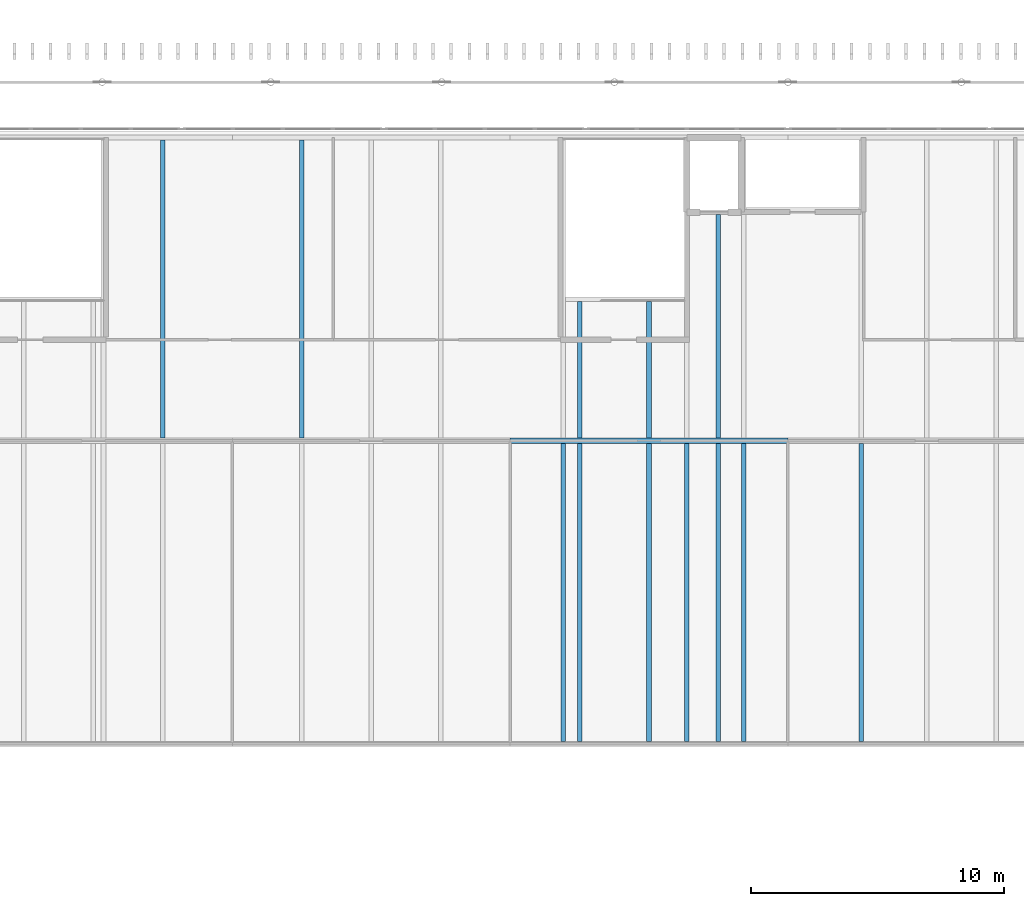
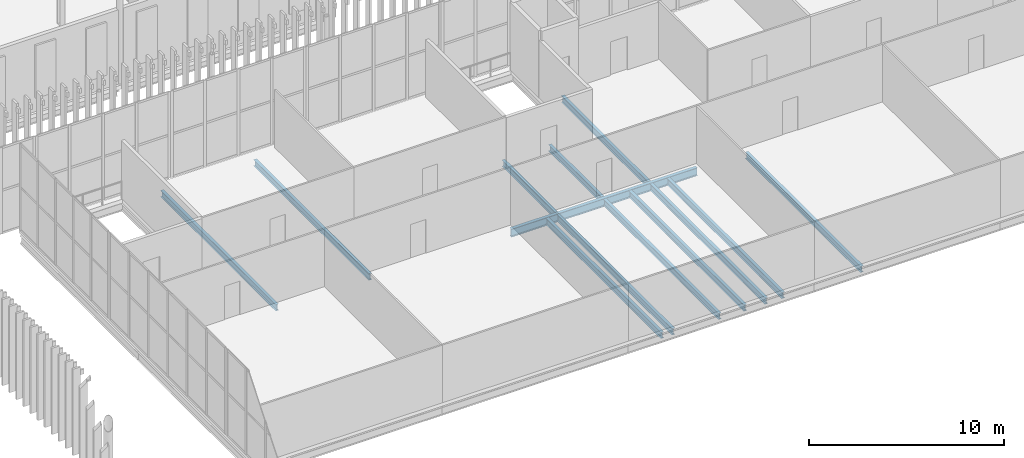
# One storey, part 66 of 170: 13 beams.
"""IFC4 building model written with IfcOpenShell, lengths in metres."""

from ifc_helpers import new_model, si_unit, direction, frame, origin, origin_2d, place, context, subcontext, project, spatial, i_section, extrude, material, material_profile, profile_set, type_object, element, save


model = new_model("IFC4")

# Units and contexts
model_context = context("Model", 3, precision=1e-05, world=origin(), true_north=direction((0.0, 1.0)))
body_context = subcontext(model_context, "Body", "Model", "MODEL_VIEW")
ifc_project = project(units=[si_unit("LENGTHUNIT", "METRE"), si_unit("AREAUNIT", "SQUARE_METRE"), si_unit("VOLUMEUNIT", "CUBIC_METRE"), si_unit("PLANEANGLEUNIT", "RADIAN"), si_unit("MASSUNIT", "GRAM", prefix="KILO")], contexts=[model_context])

# Site, building, storey
site_placement = place(None, origin())
site = spatial("IfcSite", under=ifc_project, at=site_placement, CompositionType="ELEMENT")
building_placement = place(site_placement, origin())
building = spatial("IfcBuilding", under=site, at=building_placement, Name="Ravi Spectrum Wholesale Market", CompositionType="ELEMENT")
storey_placement = place(building_placement, frame((0.0, 0.0, 5.39990234375)))
storey = spatial("IfcBuildingStorey", under=building, at=storey_placement, Name="L01", CompositionType="ELEMENT", Elevation=5.39990234375)

# Beams
ifc_material_1 = material(Name="Steel S355", Category="steel")
ifc_material_profile_1 = material_profile(ifc_material_1, i_section(OverallWidth=0.179931640625, OverallDepth=0.39990234375, WebThickness=0.008544921875, FlangeThickness=0.013427734375, at=origin_2d()))
ifc_profile_set_1 = profile_set([ifc_material_profile_1], Name="Steel S355")
beam_type_1 = type_object("IfcBeamType", Name="IPE 400 beam", PredefinedType="BEAM", material=ifc_profile_set_1)
for number, where, z_axis, x_axis, name in (
    (1, (45.25, 183.10009765625, -0.449951171875), (0.0, 1.0, 0.0), (-1.0, 0.0, 0.0), "H1-BM-L01-030"),
    (2, (50.75, 183.10009765625, -0.449951171875), (0.0, 1.0, 0.0), (-1.0, 0.0, 0.0), "H1-BM-L01-032"),
    (3, (61.10009765625, 171.10009765625, -0.449951171875), (0.0, 1.0, 0.0), (-1.0, 0.0, 0.0), "H1-BM-L01-037"),
    (4, (61.75, 171.10009765625, -0.449951171875), (0.0, 1.0, 0.0), (-1.0, 0.0, 0.0), "H1-BM-L01-039"),
):
    element("IfcBeam", number, at=place(storey_placement, frame(where, z_axis=z_axis, x_axis=x_axis)), inside=storey, type_object=beam_type_1, Name=name, PredefinedType="BEAM", context=body_context, shape_type="SweptSolid", body=[
        extrude(i_section(OverallWidth=0.179931640625, OverallDepth=0.39990234375, WebThickness=0.008544921875, FlangeThickness=0.013427734375, at=origin_2d()), origin(), (0.0, 0.0, 1.0), 11.7998046875),
    ])
beam_1_placement = place(storey_placement, frame((61.75, 183.10009765625, -0.449951171875), z_axis=(0.0, 1.0, 0.0), x_axis=(-1.0, 0.0, 0.0)))
element("IfcBeam", 5, at=beam_1_placement, inside=storey, type_object=beam_type_1, Name="H1-BM-L01-040", PredefinedType="BEAM", context=body_context, shape_type="SweptSolid", body=[
    extrude(i_section(OverallWidth=0.179931640625, OverallDepth=0.39990234375, WebThickness=0.008544921875, FlangeThickness=0.013427734375, at=origin_2d()), origin(), (0.0, 0.0, 1.0), 5.409912109375),
])
beam_2_placement = place(storey_placement, frame((64.5, 171.10009765625, -0.449951171875), z_axis=(0.0, 1.0, 0.0), x_axis=(-1.0, 0.0, 0.0)))
element("IfcBeam", 6, at=beam_2_placement, inside=storey, type_object=beam_type_1, Name="H1-BM-L01-041", PredefinedType="BEAM", context=body_context, shape_type="SweptSolid", body=[
    extrude(i_section(OverallWidth=0.179931640625, OverallDepth=0.39990234375, WebThickness=0.008544921875, FlangeThickness=0.013427734375, at=origin_2d()), origin(), (0.0, 0.0, 1.0), 11.7998046875),
])
beam_3_placement = place(storey_placement, frame((64.5, 183.10009765625, -0.449951171875), z_axis=(0.0, 1.0, 0.0), x_axis=(-1.0, 0.0, 0.0)))
element("IfcBeam", 7, at=beam_3_placement, inside=storey, type_object=beam_type_1, Name="H1-BM-L01-042", PredefinedType="BEAM", context=body_context, shape_type="SweptSolid", body=[
    extrude(i_section(OverallWidth=0.179931640625, OverallDepth=0.39990234375, WebThickness=0.008544921875, FlangeThickness=0.013427734375, at=origin_2d()), origin(), (0.0, 0.0, 1.0), 5.409912109375),
])
for number, where, z_axis, x_axis, name in (
    (8, (66.0, 171.10009765625, -0.449951171875), (0.0, 1.0, 0.0), (-1.0, 0.0, 0.0), "H1-BM-L01-043"),
    (9, (67.25, 171.10009765625, -0.449951171875), (0.0, 1.0, 0.0), (-1.0, 0.0, 0.0), "H1-BM-L01-045"),
):
    element("IfcBeam", number, at=place(storey_placement, frame(where, z_axis=z_axis, x_axis=x_axis)), inside=storey, type_object=beam_type_1, Name=name, PredefinedType="BEAM", context=body_context, shape_type="SweptSolid", body=[
        extrude(i_section(OverallWidth=0.179931640625, OverallDepth=0.39990234375, WebThickness=0.008544921875, FlangeThickness=0.013427734375, at=origin_2d()), origin(), (0.0, 0.0, 1.0), 11.7998046875),
    ])
beam_4_placement = place(storey_placement, frame((67.25, 183.10009765625, -0.449951171875), z_axis=(0.0, 1.0, 0.0), x_axis=(-1.0, 0.0, 0.0)))
element("IfcBeam", 10, at=beam_4_placement, inside=storey, type_object=beam_type_1, Name="H1-BM-L01-046", PredefinedType="BEAM", context=body_context, shape_type="SweptSolid", body=[
    extrude(i_section(OverallWidth=0.179931640625, OverallDepth=0.39990234375, WebThickness=0.008544921875, FlangeThickness=0.013427734375, at=origin_2d()), origin(), (0.0, 0.0, 1.0), 8.85986328125),
])
for number, where, z_axis, x_axis, name in (
    (11, (68.25, 171.10009765625, -0.449951171875), (0.0, 1.0, 0.0), (-1.0, 0.0, 0.0), "H1-BM-L01-047"),
    (12, (72.89990234375, 171.10009765625, -0.449951171875), (0.0, 1.0, 0.0), (-1.0, 0.0, 0.0), "H1-BM-L01-049"),
):
    element("IfcBeam", number, at=place(storey_placement, frame(where, z_axis=z_axis, x_axis=x_axis)), inside=storey, type_object=beam_type_1, Name=name, PredefinedType="BEAM", context=body_context, shape_type="SweptSolid", body=[
        extrude(i_section(OverallWidth=0.179931640625, OverallDepth=0.39990234375, WebThickness=0.008544921875, FlangeThickness=0.013427734375, at=origin_2d()), origin(), (0.0, 0.0, 1.0), 11.7998046875),
    ])
ifc_material_2 = material(Name="Steel S355", Category="steel")
ifc_material_profile_2 = material_profile(ifc_material_2, i_section(OverallWidth=0.199951171875, OverallDepth=0.5, WebThickness=0.01025390625, FlangeThickness=0.01611328125, at=origin_2d()))
ifc_profile_set_2 = profile_set([ifc_material_profile_2], Name="Steel S355")
beam_type_2 = type_object("IfcBeamType", Name="IPE 500 girder", PredefinedType="BEAM", material=ifc_profile_set_2)
beam_5_placement = place(storey_placement, frame((59.0, 183.0, -0.5), z_axis=(1.0, 0.0, 0.0), x_axis=(0.0, 1.0, 0.0)))
element("IfcBeam", 13, at=beam_5_placement, inside=storey, type_object=beam_type_2, Name="H1-BM-L01-009", PredefinedType="BEAM", context=body_context, shape_type="SweptSolid", body=[
    extrude(i_section(OverallWidth=0.199951171875, OverallDepth=0.5, WebThickness=0.01025390625, FlangeThickness=0.01611328125, at=origin_2d()), origin(), (0.0, 0.0, 1.0), 11.0),
])

save(model, "model.ifc")
